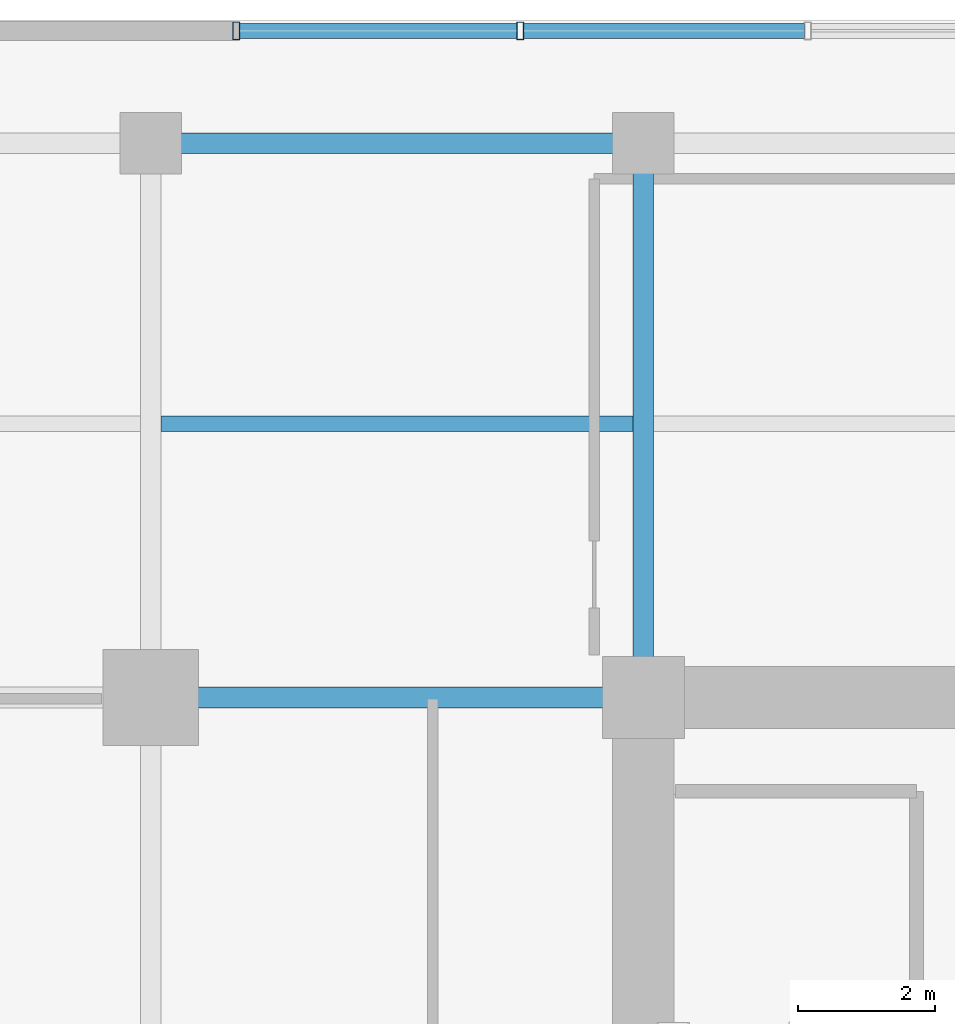
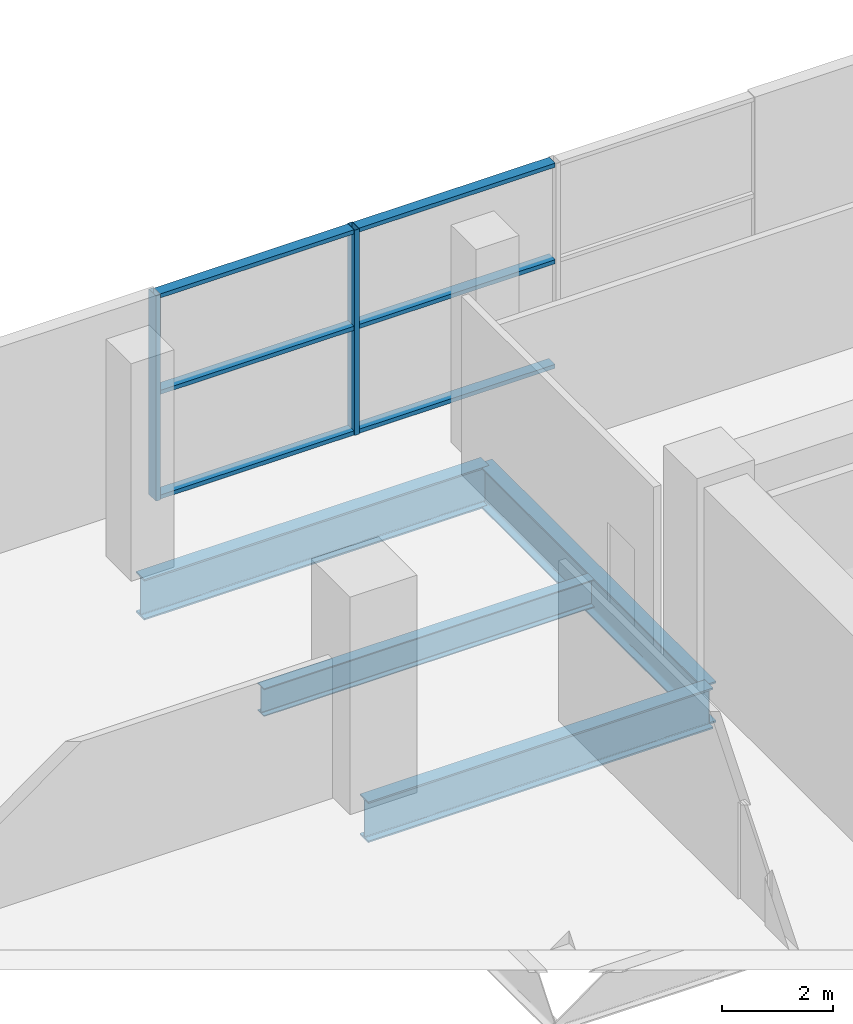
# One storey, part 9 of 22: 8 members, 4 beams, 1 element without a shape of its own.
"""IFC4 building model written with IfcOpenShell, lengths in metres."""

from ifc_helpers import new_model, si_unit, direction, frame, origin, origin_2d, place, context, subcontext, project, spatial, hollow_rectangle, i_section, extrude, source, transform, mapped, material, layer, layer_set, material_profile, profile_set, type_object, element, aggregate, save


model = new_model("IFC4")

# Units and contexts
model_context = context("Model", 3, precision=1e-05, world=origin(), true_north=direction((0.0, 1.0)))
body_context = subcontext(model_context, "Body", "Model", "MODEL_VIEW")
ifc_project = project(units=[si_unit("LENGTHUNIT", "METRE"), si_unit("AREAUNIT", "SQUARE_METRE"), si_unit("VOLUMEUNIT", "CUBIC_METRE"), si_unit("PLANEANGLEUNIT", "RADIAN"), si_unit("MASSUNIT", "GRAM", prefix="KILO")], contexts=[model_context])

# Site, building, storey
site_placement = place(None, origin())
site = spatial("IfcSite", under=ifc_project, at=site_placement, CompositionType="ELEMENT")
building_placement = place(site_placement, origin())
building = spatial("IfcBuilding", under=site, at=building_placement, Name="Zarnakvel Exchange Tower", CompositionType="ELEMENT")
storey_placement = place(building_placement, frame((0.0, 0.0, 22.60009765625)))
storey = spatial("IfcBuildingStorey", under=building, at=storey_placement, Name="L05", CompositionType="ELEMENT", Elevation=22.60009765625)

# Beams
ifc_material_1 = material(Name="Steel S355", Category="steel")
ifc_material_profile_1 = material_profile(ifc_material_1, i_section(OverallWidth=0.230224609375, OverallDepth=0.6171875, WebThickness=0.01318359375, FlangeThickness=0.022216796875, FilletRadius=0.0126953125, at=origin_2d()))
ifc_profile_set_1 = profile_set([ifc_material_profile_1], Name="Steel S355")
beam_type_1 = type_object("IfcBeamType", Name="B-02", PredefinedType="JOIST", material=ifc_profile_set_1)
beam_1_placement = place(storey_placement, frame((-21.449951171875, 17.5, -0.608642578125), z_axis=(1.0, 0.0, 0.0), x_axis=(0.0, 1.0, 0.0)))
element("IfcBeam", 1, at=beam_1_placement, inside=storey, type_object=beam_type_1, Name="L05 North Bay Secondary Floor Joist", PredefinedType="JOIST", context=body_context, shape_type="SweptSolid", body=[
    extrude(i_section(OverallWidth=0.230224609375, OverallDepth=0.6171875, WebThickness=0.01318359375, FlangeThickness=0.022216796875, FilletRadius=0.0126953125, at=origin_2d()), origin(), (0.0, 0.0, 1.0), 6.89990234375),
])
ifc_material_profile_2 = material_profile(ifc_material_1, i_section(OverallWidth=0.300048828125, OverallDepth=0.89990234375, WebThickness=0.0185546875, FlangeThickness=0.034912109375, FilletRadius=0.030029296875, at=origin_2d()))
ifc_profile_set_2 = profile_set([ifc_material_profile_2], Name="Steel S355")
beam_type_2 = type_object("IfcBeamType", Name="G-01", PredefinedType="BEAM", material=ifc_profile_set_2)
for number, where, z_axis, x_axis, name in (
    (2, (-21.60009765625, 13.5, -0.75), (1.0, 0.0, 0.0), (0.0, 1.0, 0.0), "L05 Primary E-W Girder Y=+13.5"),
    (3, (-21.60009765625, 21.60009765625, -0.75), (1.0, 0.0, 0.0), (0.0, 1.0, 0.0), "L05 Primary E-W Girder Y=+21.6"),
):
    element("IfcBeam", number, at=place(storey_placement, frame(where, z_axis=z_axis, x_axis=x_axis)), inside=storey, type_object=beam_type_2, Name=name, PredefinedType="BEAM", context=body_context, shape_type="SweptSolid", body=[
        extrude(i_section(OverallWidth=0.300048828125, OverallDepth=0.89990234375, WebThickness=0.0185546875, FlangeThickness=0.034912109375, FilletRadius=0.030029296875, at=origin_2d()), origin(), (0.0, 0.0, 1.0), 7.2001953125),
    ])
beam_2_placement = place(storey_placement, frame((-14.39990234375, 13.5, -0.75), z_axis=(0.0, 1.0, 0.0), x_axis=(-1.0, 0.0, 0.0)))
element("IfcBeam", 4, at=beam_2_placement, inside=storey, type_object=beam_type_2, Name="L05 Primary N-S Girder X=-14.4", PredefinedType="BEAM", context=body_context, shape_type="SweptSolid", body=[
    extrude(i_section(OverallWidth=0.300048828125, OverallDepth=0.89990234375, WebThickness=0.0185546875, FlangeThickness=0.034912109375, FilletRadius=0.030029296875, at=origin_2d()), origin(), (0.0, 0.0, 1.0), 8.10009765625),
])

# Curtain wall, members
ifc_material_2 = material(Name="Architectural Bronze Anodised Aluminium", Category="aluminium")
ifc_layer = layer(ifc_material_2, 0.260009765625)
ifc_layer_set = layer_set([ifc_layer], Name="Architectural Bronze Anodised Aluminium")
curtain_wall_type = type_object("IfcCurtainWallType", Name="CW-01", PredefinedType="NOTDEFINED", material=ifc_layer_set)
curtain_wall_placement = place(storey_placement, origin())
curtain_wall = element("IfcCurtainWall", 5, at=curtain_wall_placement, inside=storey, type_object=curtain_wall_type, Name="L05 Curtain Wall CW-L05-N1 (CW-01)", PredefinedType="NOTDEFINED")
ifc_material_profile_3 = material_profile(ifc_material_2, hollow_rectangle(XDim=0.219970703125, YDim=0.090087890625, WallThickness=0.0048828125, at=origin_2d()))
ifc_profile_set_3 = profile_set([ifc_material_profile_3], Name="Architectural Bronze Anodised Aluminium")
member_type_1 = type_object("IfcMemberType", Name="CWT-01", PredefinedType="USERDEFINED", material=ifc_profile_set_3)
shared_shape_1 = source(origin(), body_context, "Body", "SweptSolid", [
    extrude(hollow_rectangle(XDim=0.219970703125, YDim=0.090087890625, WallThickness=0.0048828125, at=origin_2d()), origin(), (0.0, 0.0, 1.0), 4.050048828125),
])
member_1_placement = place(storey_placement, frame((-20.300048828125, 23.239990234375, 0.044921875), z_axis=(1.0, 0.0, 0.0), x_axis=(0.0, 1.0, 0.0)))
member_1 = element("IfcMember", 6, at=member_1_placement, type_object=member_type_1, Name="CW-01 transom 1.1", ObjectType="TRANSOM", PredefinedType="USERDEFINED", context=body_context, shape_type="MappedRepresentation", body=[
    mapped(shared_shape_1, transform((0.0, 0.0, 0.0), x_axis=(1.0, 0.0, 0.0), y_axis=(0.0, 1.0, 0.0), z_axis=(0.0, 0.0, 1.0), scale=1.0)),
])
member_2_placement = place(storey_placement, frame((-20.300048828125, 23.239990234375, 2.35546875), z_axis=(1.0, 0.0, 0.0), x_axis=(0.0, 1.0, 0.0)))
member_2 = element("IfcMember", 7, at=member_2_placement, type_object=member_type_1, Name="CW-01 transom 1.2", ObjectType="TRANSOM", PredefinedType="USERDEFINED", context=body_context, shape_type="MappedRepresentation", body=[
    mapped(shared_shape_1, transform((0.0, 0.0, 0.0), x_axis=(1.0, 0.0, 0.0), y_axis=(0.0, 1.0, 0.0), z_axis=(0.0, 0.0, 1.0), scale=1.0)),
])
member_3_placement = place(storey_placement, frame((-20.300048828125, 23.239990234375, 4.48486328125), z_axis=(1.0, 0.0, 0.0), x_axis=(0.0, 1.0, 0.0)))
member_3 = element("IfcMember", 8, at=member_3_placement, type_object=member_type_1, Name="CW-01 transom 1.3", ObjectType="TRANSOM", PredefinedType="USERDEFINED", context=body_context, shape_type="MappedRepresentation", body=[
    mapped(shared_shape_1, transform((0.0, 0.0, 0.0), x_axis=(1.0, 0.0, 0.0), y_axis=(0.0, 1.0, 0.0), z_axis=(0.0, 0.0, 1.0), scale=1.0)),
])
shared_shape_2 = source(origin(), body_context, "Body", "SweptSolid", [
    extrude(hollow_rectangle(XDim=0.219970703125, YDim=0.090087890625, WallThickness=0.0048828125, at=origin_2d()), origin(), (0.0, 0.0, 1.0), 4.099853515625),
])
member_4_placement = place(storey_placement, frame((-16.14990234375, 23.239990234375, 0.044921875), z_axis=(1.0, 0.0, 0.0), x_axis=(0.0, 1.0, 0.0)))
member_4 = element("IfcMember", 9, at=member_4_placement, type_object=member_type_1, Name="CW-01 transom 2.1", ObjectType="TRANSOM", PredefinedType="USERDEFINED", context=body_context, shape_type="MappedRepresentation", body=[
    mapped(shared_shape_2, transform((0.0, 0.0, 0.0), x_axis=(1.0, 0.0, 0.0), y_axis=(0.0, 1.0, 0.0), z_axis=(0.0, 0.0, 1.0), scale=1.0)),
])
member_5_placement = place(storey_placement, frame((-16.14990234375, 23.239990234375, 2.35546875), z_axis=(1.0, 0.0, 0.0), x_axis=(0.0, 1.0, 0.0)))
member_5 = element("IfcMember", 10, at=member_5_placement, type_object=member_type_1, Name="CW-01 transom 2.2", ObjectType="TRANSOM", PredefinedType="USERDEFINED", context=body_context, shape_type="MappedRepresentation", body=[
    mapped(shared_shape_2, transform((0.0, 0.0, 0.0), x_axis=(1.0, 0.0, 0.0), y_axis=(0.0, 1.0, 0.0), z_axis=(0.0, 0.0, 1.0), scale=1.0)),
])
member_6_placement = place(storey_placement, frame((-16.14990234375, 23.239990234375, 4.48486328125), z_axis=(1.0, 0.0, 0.0), x_axis=(0.0, 1.0, 0.0)))
member_6 = element("IfcMember", 11, at=member_6_placement, type_object=member_type_1, Name="CW-01 transom 2.3", ObjectType="TRANSOM", PredefinedType="USERDEFINED", context=body_context, shape_type="MappedRepresentation", body=[
    mapped(shared_shape_2, transform((0.0, 0.0, 0.0), x_axis=(1.0, 0.0, 0.0), y_axis=(0.0, 1.0, 0.0), z_axis=(0.0, 0.0, 1.0), scale=1.0)),
])
ifc_material_profile_4 = material_profile(ifc_material_2, hollow_rectangle(XDim=0.260009765625, YDim=0.10009765625, WallThickness=0.006103515625, at=origin_2d()))
ifc_profile_set_4 = profile_set([ifc_material_profile_4], Name="Architectural Bronze Anodised Aluminium")
member_type_2 = type_object("IfcMemberType", Name="CWM-01", PredefinedType="MULLION", material=ifc_profile_set_4)
shared_shape_3 = source(origin(), body_context, "Body", "SweptSolid", [
    extrude(hollow_rectangle(XDim=0.260009765625, YDim=0.10009765625, WallThickness=0.006103515625, at=origin_2d()), origin(), (0.0, 0.0, 1.0), 4.52978515625),
])
member_7_placement = place(storey_placement, frame((-20.35009765625, 23.239990234375, 0.0), z_axis=(0.0, 0.0, 1.0), x_axis=(0.0, 1.0, 0.0)))
member_7 = element("IfcMember", 12, at=member_7_placement, type_object=member_type_2, Name="CW-01 mullion 1", PredefinedType="MULLION", context=body_context, shape_type="MappedRepresentation", body=[
    mapped(shared_shape_3, transform((0.0, 0.0, 0.0), x_axis=(1.0, 0.0, 0.0), y_axis=(0.0, 1.0, 0.0), z_axis=(0.0, 0.0, 1.0), scale=1.0)),
])
member_8_placement = place(storey_placement, frame((-16.199951171875, 23.239990234375, 0.0), z_axis=(0.0, 0.0, 1.0), x_axis=(0.0, 1.0, 0.0)))
member_8 = element("IfcMember", 13, at=member_8_placement, type_object=member_type_2, Name="CW-01 mullion 2", PredefinedType="MULLION", context=body_context, shape_type="MappedRepresentation", body=[
    mapped(shared_shape_3, transform((0.0, 0.0, 0.0), x_axis=(1.0, 0.0, 0.0), y_axis=(0.0, 1.0, 0.0), z_axis=(0.0, 0.0, 1.0), scale=1.0)),
])
aggregate(curtain_wall, [member_7, member_8, member_1, member_2, member_3, member_4, member_5, member_6])

save(model, "model.ifc")
